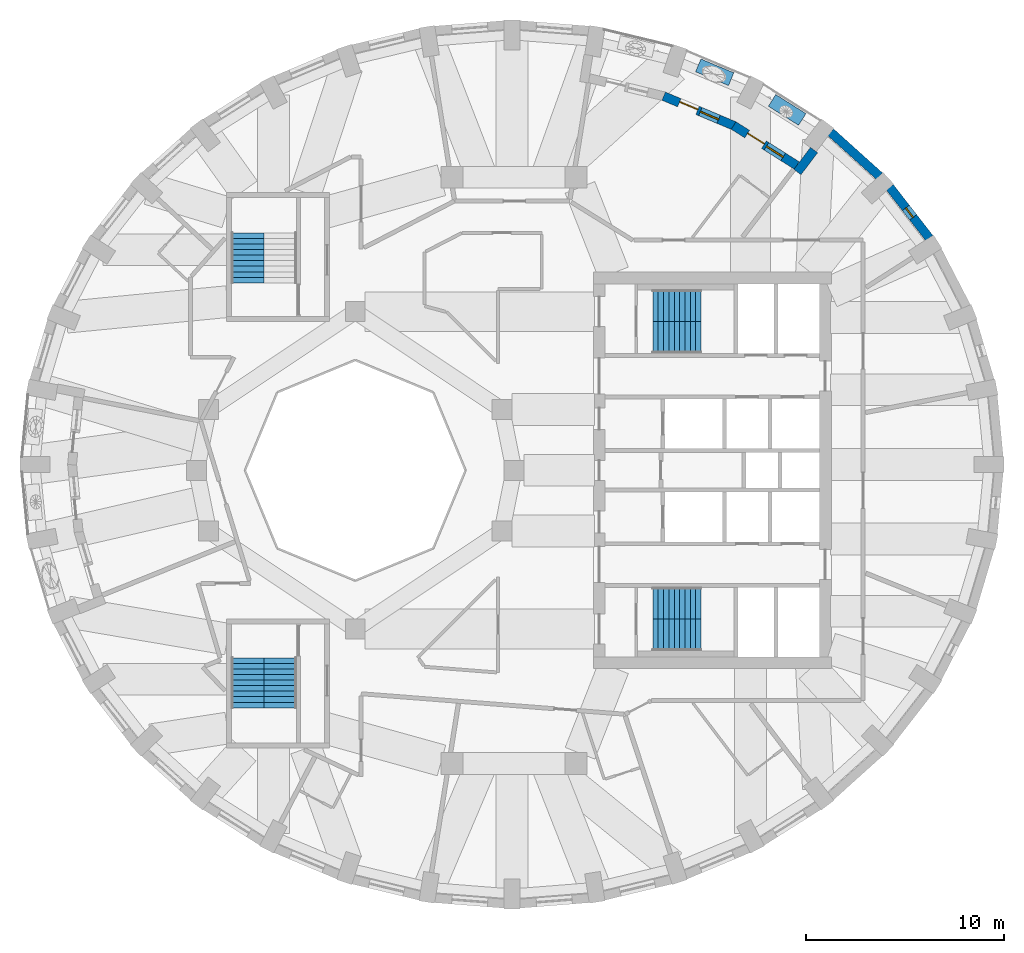
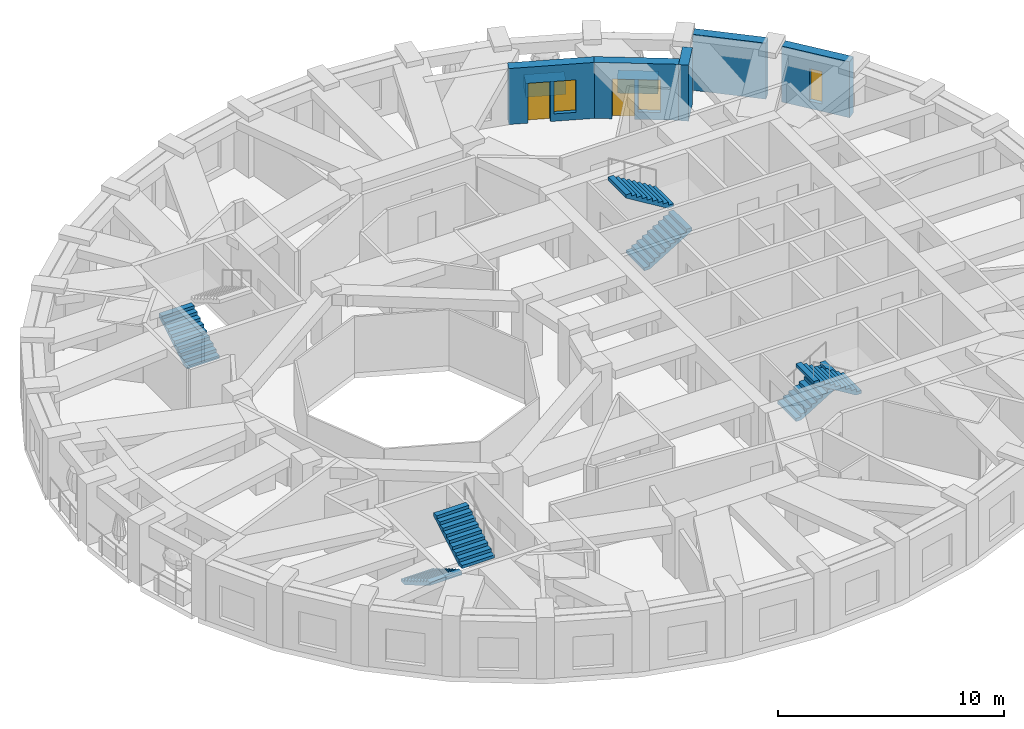
# One storey, part 8 of 12: 7 stair flights, 7 walls, 3 windows, 2 doors, 5 openings, 4 elements without a shape of their own.
"""IFC4 building model written with IfcOpenShell, lengths in metres."""

from ifc_helpers import new_model, si_unit, direction, frame, frame_2d, origin, place, context, subcontext, project, spatial, polyline, rectangle, outline, extrude, material, layer, layer_set, constituent, constituent_set, type_object, element, fill, aggregate, save


model = new_model("IFC4")

# Units and contexts
model_context = context("Model", 3, precision=1e-05, world=origin(), true_north=direction((0.0, 1.0)))
body_context = subcontext(model_context, "Body", "Model", "MODEL_VIEW")
ifc_project = project(units=[si_unit("LENGTHUNIT", "METRE"), si_unit("AREAUNIT", "SQUARE_METRE"), si_unit("VOLUMEUNIT", "CUBIC_METRE"), si_unit("PLANEANGLEUNIT", "RADIAN"), si_unit("MASSUNIT", "GRAM", prefix="KILO")], contexts=[model_context])

# Site, building, storey
site_placement = place(None, origin())
site = spatial("IfcSite", under=ifc_project, at=site_placement, CompositionType="ELEMENT")
building_placement = place(site_placement, origin())
building = spatial("IfcBuilding", under=site, at=building_placement, Name="Taillehof Tower", CompositionType="ELEMENT")
storey_placement = place(building_placement, frame((0.0, 0.0, 236.60009765625)))
storey = spatial("IfcBuildingStorey", under=building, at=storey_placement, Name="L67", CompositionType="ELEMENT", Elevation=236.60009765625)

# Wall, opening, window
ifc_material_1 = material(Name="Brick masonry", Category="masonry")
ifc_layer = layer(ifc_material_1, 0.449951171875)
ifc_layer_set = layer_set([ifc_layer], Name="Brick infill wall 450")
wall_type_1 = type_object("IfcWallType", Name="Brick infill wall 450", PredefinedType="SOLIDWALL", material=ifc_layer_set)
wall_1_placement = place(storey_placement, frame((20.93505859375, 11.70849609375, 0.0), z_axis=(0.0, 0.0, 1.0), x_axis=(-0.613862536705, 0.789412937587, 0.0)))
wall_1 = element("IfcWall", 1, at=wall_1_placement, inside=storey, type_object=wall_type_1, Name="Brick wall L67 bay 4", PredefinedType="SOLIDWALL", context=body_context, shape_type="SweptSolid", body=[
    extrude(rectangle(XDim=3.247314453125, YDim=0.449951171875, at=frame_2d((1.62353515625, 0.0))), origin(), (0.0, 0.0, 1.0), 3.02001953125),
])
opening_1_placement = place(wall_1_placement, frame((1.32373046875, 0.0, 0.39990234375)))
opening_1 = element("IfcOpeningElement", 2, at=opening_1_placement, cuts=wall_1, Name="Opening W6", PredefinedType="OPENING", context=body_context, shape_type="SweptSolid", body=[
    extrude(rectangle(XDim=0.60009765625, YDim=1.75, at=frame_2d((0.300048828125, 0.875))), frame((0.0, 0.23486328125, 0.0), z_axis=(0.0, -1.0, 0.0), x_axis=(1.0, 0.0, 0.0)), (0.0, 0.0, 1.0), 0.469970703125),
])
ifc_material_2 = material(Name="Aluminium window frame with clear double glazing", Category="aluminium")
window_type_1 = type_object("IfcWindowType", Name="Slot window 600x1750", PartitioningType="SINGLE_PANEL", PredefinedType="WINDOW", material=ifc_material_2)
window_1_placement = place(opening_1_placement, origin())
window_1 = element("IfcWindow", 3, at=window_1_placement, inside=storey, type_object=window_type_1, Name="W6", OverallHeight=1.75, OverallWidth=0.60009765625, PartitioningType="SINGLE_PANEL", PredefinedType="WINDOW", context=body_context, shape_type="SweptSolid", body=[
    extrude(rectangle(XDim=0.60009765625, YDim=1.75, at=frame_2d((0.300048828125, 0.875))), frame((0.0, 0.034912109375, 0.0), z_axis=(0.0, -1.0, 0.0), x_axis=(1.0, 0.0, 0.0)), (0.0, 0.0, 1.0), 0.06005859375),
])
fill(opening_1, window_1)

# Walls
wall_2_placement = place(storey_placement, frame((18.423828125, 14.828369140625, 0.0), z_axis=(0.0, 0.0, 1.0), x_axis=(-0.743166014219, 0.669107073128, 0.0)))
element("IfcWall", 4, at=wall_2_placement, inside=storey, type_object=wall_type_1, Name="Brick wall L67 bay 5", PredefinedType="SOLIDWALL", context=body_context, shape_type="SweptSolid", body=[
    extrude(rectangle(XDim=3.31640625, YDim=0.449951171875, at=frame_2d((1.658203125, 0.0))), origin(), (0.0, 0.0, 1.0), 3.02001953125),
])
wall_3_placement = place(storey_placement, frame((15.126953125, 16.144775390625, 0.0), z_axis=(0.0, 0.0, 1.0), x_axis=(-0.603952302908, -0.797020461351, 0.0)))
element("IfcWall", 5, at=wall_3_placement, inside=storey, type_object=wall_type_1, Name="Brick reveal L67 pocket 1", PredefinedType="SOLIDWALL", context=body_context, shape_type="SweptSolid", body=[
    extrude(rectangle(XDim=1.390869140625, YDim=0.449951171875, at=frame_2d((0.6953125, 0.0))), origin(), (0.0, 0.0, 1.0), 3.02001953125),
])

# Wall, openings, door, window
wall_4_placement = place(storey_placement, frame((14.255126953125, 15.36669921875, 0.0), z_axis=(0.0, 0.0, 1.0), x_axis=(-0.845183955488, 0.534475519912, 0.0)))
wall_4 = element("IfcWall", 6, at=wall_4_placement, inside=storey, type_object=wall_type_1, Name="Brick wall L67 pocket bay 6", PredefinedType="SOLIDWALL", context=body_context, shape_type="SweptSolid", body=[
    extrude(rectangle(XDim=3.7685546875, YDim=0.449951171875, at=frame_2d((1.88427734375, 0.0))), origin(), (0.0, 0.0, 1.0), 3.02001953125),
])
opening_2_placement = place(wall_4_placement, frame((0.809326171875, 0.0, 0.39990234375)))
opening_2 = element("IfcOpeningElement", 7, at=opening_2_placement, cuts=wall_4, Name="Opening W5", PredefinedType="OPENING", context=body_context, shape_type="SweptSolid", body=[
    extrude(rectangle(XDim=1.0, YDim=1.75, at=frame_2d((0.5, 0.875))), frame((0.0, 0.23486328125, 0.0), z_axis=(0.0, -1.0, 0.0), x_axis=(1.0, 0.0, 0.0)), (0.0, 0.0, 1.0), 0.469970703125),
])
opening_3_placement = place(wall_4_placement, frame((1.959228515625, 0.0, 0.0)))
opening_3 = element("IfcOpeningElement", 8, at=opening_3_placement, cuts=wall_4, Name="Opening D6794", PredefinedType="OPENING", context=body_context, shape_type="SweptSolid", body=[
    extrude(rectangle(XDim=1.0, YDim=2.14990234375, at=frame_2d((0.5, 1.074951171875))), frame((0.0, 0.23486328125, 0.0), z_axis=(0.0, -1.0, 0.0), x_axis=(1.0, 0.0, 0.0)), (0.0, 0.0, 1.0), 0.469970703125),
])
ifc_material_3 = material(Name="Aluminium door frame with clear double glazing", Category="aluminium")
door_type = type_object("IfcDoorType", Name="Balcony door 1000x2150", OperationType="SINGLE_SWING_RIGHT", PredefinedType="DOOR", material=ifc_material_3)
door_1_placement = place(opening_3_placement, frame((1.0, 0.0, 0.0), z_axis=(0.0, 0.0, 1.0), x_axis=(-1.0, 0.0, 0.0)))
door_1 = element("IfcDoor", 9, at=door_1_placement, inside=storey, type_object=door_type, Name="Balcony door L67 bay 6", OperationType="SINGLE_SWING_RIGHT", OverallHeight=2.14990234375, OverallWidth=1.0, PredefinedType="DOOR", context=body_context, shape_type="SweptSolid", body=[
    extrude(rectangle(XDim=1.0, YDim=2.14990234375, at=frame_2d((0.5, 1.074951171875))), frame((0.0, 0.0751953125, 0.0), z_axis=(0.0, -1.0, 0.0), x_axis=(1.0, 0.0, 0.0)), (0.0, 0.0, 1.0), 0.050048828125),
])
fill(opening_3, door_1)
ifc_material_4 = material(Name="Aluminium window frame with clear double glazing", Category="aluminium")
window_type_2 = type_object("IfcWindowType", Name="Fixed window 1000x1750", PartitioningType="SINGLE_PANEL", PredefinedType="WINDOW", material=ifc_material_4)
window_2_placement = place(opening_2_placement, origin())
window_2 = element("IfcWindow", 10, at=window_2_placement, inside=storey, type_object=window_type_2, Name="W5", OverallHeight=1.75, OverallWidth=1.0, PartitioningType="SINGLE_PANEL", PredefinedType="WINDOW", context=body_context, shape_type="SweptSolid", body=[
    extrude(rectangle(XDim=1.0, YDim=1.75, at=frame_2d((0.5, 0.875))), frame((0.0, 0.034912109375, 0.0), z_axis=(0.0, -1.0, 0.0), x_axis=(1.0, 0.0, 0.0)), (0.0, 0.0, 1.0), 0.06005859375),
])
fill(opening_2, window_2)

wall_5_placement = place(storey_placement, frame((11.10302734375, 17.363525390625, 0.0), z_axis=(0.0, 0.0, 1.0), x_axis=(-0.921612755574, 0.388110717145, 0.0)))
wall_5 = element("IfcWall", 11, at=wall_5_placement, inside=storey, type_object=wall_type_1, Name="Brick wall L67 pocket bay 7", PredefinedType="SOLIDWALL", context=body_context, shape_type="SweptSolid", body=[
    extrude(rectangle(XDim=3.8603515625, YDim=0.449951171875, at=frame_2d((1.93017578125, 0.0))), origin(), (0.0, 0.0, 1.0), 3.02001953125),
])
opening_4_placement = place(wall_5_placement, frame((0.855224609375, 0.0, 0.39990234375)))
opening_4 = element("IfcOpeningElement", 12, at=opening_4_placement, cuts=wall_5, Name="Opening W5", PredefinedType="OPENING", context=body_context, shape_type="SweptSolid", body=[
    extrude(rectangle(XDim=1.0, YDim=1.75, at=frame_2d((0.5, 0.875))), frame((0.0, 0.23486328125, 0.0), z_axis=(0.0, -1.0, 0.0), x_axis=(1.0, 0.0, 0.0)), (0.0, 0.0, 1.0), 0.469970703125),
])
opening_5_placement = place(wall_5_placement, frame((2.005126953125, 0.0, 0.0)))
opening_5 = element("IfcOpeningElement", 13, at=opening_5_placement, cuts=wall_5, Name="Opening D6795", PredefinedType="OPENING", context=body_context, shape_type="SweptSolid", body=[
    extrude(rectangle(XDim=1.0, YDim=2.14990234375, at=frame_2d((0.5, 1.074951171875))), frame((0.0, 0.23486328125, 0.0), z_axis=(0.0, -1.0, 0.0), x_axis=(1.0, 0.0, 0.0)), (0.0, 0.0, 1.0), 0.469970703125),
])
door_2_placement = place(opening_5_placement, frame((1.0, 0.0, 0.0), z_axis=(0.0, 0.0, 1.0), x_axis=(-1.0, 0.0, 0.0)))
door_2 = element("IfcDoor", 14, at=door_2_placement, inside=storey, type_object=door_type, Name="Balcony door L67 bay 7", OperationType="SINGLE_SWING_LEFT", OverallHeight=2.14990234375, OverallWidth=1.0, PredefinedType="DOOR", context=body_context, shape_type="SweptSolid", body=[
    extrude(rectangle(XDim=1.0, YDim=2.14990234375, at=frame_2d((0.5, 1.074951171875))), frame((0.0, 0.0751953125, 0.0), z_axis=(0.0, -1.0, 0.0), x_axis=(1.0, 0.0, 0.0)), (0.0, 0.0, 1.0), 0.050048828125),
])
fill(opening_5, door_2)
window_3_placement = place(opening_4_placement, origin())
window_3 = element("IfcWindow", 15, at=window_3_placement, inside=storey, type_object=window_type_2, Name="W5", OverallHeight=1.75, OverallWidth=1.0, PartitioningType="SINGLE_PANEL", PredefinedType="WINDOW", context=body_context, shape_type="SweptSolid", body=[
    extrude(rectangle(XDim=1.0, YDim=1.75, at=frame_2d((0.5, 0.875))), frame((0.0, 0.034912109375, 0.0), z_axis=(0.0, -1.0, 0.0), x_axis=(1.0, 0.0, 0.0)), (0.0, 0.0, 1.0), 0.06005859375),
])
fill(opening_4, window_3)

# Walls
ifc_material_5 = material(Name="Concrete C30/37 precast", Category="concrete")
ifc_constituent_1 = constituent(ifc_material_5, Name="Structure", Category="concrete")
ifc_material_6 = material(Name="Insulated lining")
ifc_constituent_2 = constituent(ifc_material_6, Name="Lining")
ifc_constituent_set = constituent_set(constituents=[ifc_constituent_1, ifc_constituent_2], Name="Planter trough 700x750")
wall_type_2 = type_object("IfcWallType", Name="Planter trough 700x750", PredefinedType="USERDEFINED", material=ifc_constituent_set)
wall_6_placement = place(storey_placement, frame((14.531005859375, 17.687255859375, 0.0), z_axis=(0.0, 0.0, 1.0), x_axis=(-0.845888351787, 0.533360006291, 0.0)))
element("IfcWall", 16, at=wall_6_placement, inside=storey, type_object=wall_type_2, Name="Planter L67 bay 6", ObjectType="PLANTER", PredefinedType="USERDEFINED", context=body_context, shape_type="SweptSolid", body=[
    extrude(rectangle(XDim=1.7998046875, YDim=0.699951171875, at=frame_2d((0.89990234375, 0.0))), origin(), (0.0, 0.0, 1.0), 0.75),
])
wall_7_placement = place(storey_placement, frame((10.947998046875, 19.717041015625, 0.0), z_axis=(0.0, 0.0, 1.0), x_axis=(-0.922038267928, 0.387098737374, 0.0)))
element("IfcWall", 17, at=wall_7_placement, inside=storey, type_object=wall_type_2, Name="Planter L67 bay 7", ObjectType="PLANTER", PredefinedType="USERDEFINED", context=body_context, shape_type="SweptSolid", body=[
    extrude(rectangle(XDim=1.800048828125, YDim=0.699951171875, at=frame_2d((0.89990234375, 0.0))), origin(), (0.0, 0.0, 1.0), 0.75),
])

# Stair, stair flights
ifc_material_7 = material(Name="Concrete C40/50", Category="concrete")
stair_type = type_object("IfcStairType", Name="Exit stair half-turn", PredefinedType="HALF_TURN_STAIR", material=ifc_material_7)
stair_1_placement = place(storey_placement, origin())
stair_1 = element("IfcStair", 18, at=stair_1_placement, inside=storey, type_object=stair_type, Name="Exit stair S1", PredefinedType="HALF_TURN_STAIR")
ifc_material_8 = material(Name="Concrete C40/50", Category="concrete")
stair_flight_type_1 = type_object("IfcStairFlightType", Name="Stair flight 1600 riser 165.0 going 270", PredefinedType="STRAIGHT", material=ifc_material_8)
stair_flight_1_placement = place(storey_placement, frame((7.0, 6.699951171875, 0.0), z_axis=(0.0, 0.0, 1.0), x_axis=(1.0, 0.0, 0.0)))
stair_flight_1 = element("IfcStairFlight", 19, at=stair_flight_1_placement, type_object=stair_flight_type_1, Name="S1 flight 1", NumberOfRisers=10, NumberOfTreads=9, PredefinedType="STRAIGHT", RiserHeight=0.165, TreadLength=0.27, context=body_context, shape_type="SweptSolid", body=[
    extrude(outline(polyline([(0.0, 0.0), (0.0, 0.00537109375), (0.0, 0.0107421875), (0.0, 0.015869140625), (0.0, 0.021240234375), (0.0, 0.026611328125), (0.0, 0.031982421875), (0.0, 0.037353515625), (0.0, 0.04248046875), (0.0, 0.0478515625), (0.0, 0.05322265625), (0.0, 0.05859375), (0.0, 0.06396484375), (0.0, 0.069091796875), (0.0, 0.074462890625), (0.0, 0.079833984375), (0.0, 0.085205078125), (0.0, 0.090576171875), (0.0, 0.095703125), (0.0, 0.10107421875), (0.0, 0.1064453125), (0.0, 0.11181640625), (0.0, 0.1171875), (0.0, 0.122314453125), (0.0, 0.127685546875), (0.0, 0.133056640625), (0.0, 0.138427734375), (0.0, 0.143798828125), (0.0, 0.14892578125), (0.0, 0.154296875), (0.0, 0.15966796875), (0.0, 0.1650390625), (0.27001953125, 0.1650390625), (0.27001953125, 0.330078125), (0.5400390625, 0.330078125), (0.5400390625, 0.4951171875), (0.81005859375, 0.4951171875), (0.81005859375, 0.659912109375), (1.080078125, 0.659912109375), (1.080078125, 0.824951171875), (1.35009765625, 0.824951171875), (1.35009765625, 0.989990234375), (1.6201171875, 0.989990234375), (1.6201171875, 1.155029296875), (1.889892578125, 1.155029296875), (1.889892578125, 1.320068359375), (2.159912109375, 1.320068359375), (2.159912109375, 1.485107421875), (2.429931640625, 1.485107421875), (2.429931640625, 1.479248046875), (2.429931640625, 1.4736328125), (2.429931640625, 1.468017578125), (2.429931640625, 1.46240234375), (2.429931640625, 1.45654296875), (2.429931640625, 1.450927734375), (2.429931640625, 1.4453125), (2.429931640625, 1.439697265625), (2.429931640625, 1.43408203125), (2.429931640625, 1.42822265625), (2.429931640625, 1.422607421875), (2.429931640625, 1.4169921875), (2.429931640625, 1.411376953125), (2.429931640625, 1.40576171875), (2.429931640625, 1.39990234375), (2.429931640625, 1.394287109375), (2.429931640625, 1.388671875), (2.429931640625, 1.383056640625), (2.429931640625, 1.37744140625), (2.429931640625, 1.37158203125), (2.429931640625, 1.365966796875), (2.429931640625, 1.3603515625), (2.429931640625, 1.354736328125), (2.429931640625, 1.348876953125), (2.429931640625, 1.34326171875), (2.429931640625, 1.337646484375), (2.429931640625, 1.33203125), (2.429931640625, 1.326416015625), (2.429931640625, 1.320556640625), (2.429931640625, 1.31494140625), (2.429931640625, 1.309326171875), (0.287353515625, 0.0), (0.0, 0.0)])), frame((0.0, 0.800048828125, 0.0), z_axis=(0.0, -1.0, 0.0), x_axis=(1.0, 0.0, 0.0)), (0.0, 0.0, 1.0), 1.6),
])
stair_flight_2_placement = place(storey_placement, frame((9.429931640625, 8.300048828125, 1.64990234375), z_axis=(0.0, 0.0, 1.0), x_axis=(-1.0, 0.0, 0.0)))
stair_flight_2 = element("IfcStairFlight", 20, at=stair_flight_2_placement, type_object=stair_flight_type_1, Name="S1 flight 2", NumberOfRisers=10, NumberOfTreads=9, PredefinedType="STRAIGHT", RiserHeight=0.165, TreadLength=0.27, context=body_context, shape_type="SweptSolid", body=[
    extrude(outline(polyline([(0.0, 0.0), (0.0, 0.00537109375), (0.0, 0.0107421875), (0.0, 0.015869140625), (0.0, 0.021240234375), (0.0, 0.026611328125), (0.0, 0.031982421875), (0.0, 0.037353515625), (0.0, 0.04248046875), (0.0, 0.0478515625), (0.0, 0.05322265625), (0.0, 0.05859375), (0.0, 0.06396484375), (0.0, 0.069091796875), (0.0, 0.074462890625), (0.0, 0.079833984375), (0.0, 0.085205078125), (0.0, 0.090576171875), (0.0, 0.095703125), (0.0, 0.10107421875), (0.0, 0.1064453125), (0.0, 0.11181640625), (0.0, 0.1171875), (0.0, 0.122314453125), (0.0, 0.127685546875), (0.0, 0.133056640625), (0.0, 0.138427734375), (0.0, 0.143798828125), (0.0, 0.14892578125), (0.0, 0.154296875), (0.0, 0.15966796875), (0.0, 0.1650390625), (0.27001953125, 0.1650390625), (0.27001953125, 0.330078125), (0.5400390625, 0.330078125), (0.5400390625, 0.4951171875), (0.81005859375, 0.4951171875), (0.81005859375, 0.659912109375), (1.080078125, 0.659912109375), (1.080078125, 0.824951171875), (1.35009765625, 0.824951171875), (1.35009765625, 0.989990234375), (1.6201171875, 0.989990234375), (1.6201171875, 1.155029296875), (1.889892578125, 1.155029296875), (1.889892578125, 1.320068359375), (2.159912109375, 1.320068359375), (2.159912109375, 1.485107421875), (2.429931640625, 1.485107421875), (2.429931640625, 1.479248046875), (2.429931640625, 1.4736328125), (2.429931640625, 1.468017578125), (2.429931640625, 1.46240234375), (2.429931640625, 1.45654296875), (2.429931640625, 1.450927734375), (2.429931640625, 1.4453125), (2.429931640625, 1.439697265625), (2.429931640625, 1.43408203125), (2.429931640625, 1.42822265625), (2.429931640625, 1.422607421875), (2.429931640625, 1.4169921875), (2.429931640625, 1.411376953125), (2.429931640625, 1.40576171875), (2.429931640625, 1.39990234375), (2.429931640625, 1.394287109375), (2.429931640625, 1.388671875), (2.429931640625, 1.383056640625), (2.429931640625, 1.37744140625), (2.429931640625, 1.37158203125), (2.429931640625, 1.365966796875), (2.429931640625, 1.3603515625), (2.429931640625, 1.354736328125), (2.429931640625, 1.348876953125), (2.429931640625, 1.34326171875), (2.429931640625, 1.337646484375), (2.429931640625, 1.33203125), (2.429931640625, 1.326416015625), (2.429931640625, 1.320556640625), (2.429931640625, 1.31494140625), (2.429931640625, 1.309326171875), (0.287353515625, 0.0), (0.0, 0.0)])), frame((0.0, 0.800048828125, 0.0), z_axis=(0.0, -1.0, 0.0), x_axis=(1.0, 0.0, 0.0)), (0.0, 0.0, 1.0), 1.6),
])
aggregate(stair_1, [stair_flight_1, stair_flight_2])

stair_2_placement = place(storey_placement, origin())
stair_2 = element("IfcStair", 21, at=stair_2_placement, inside=storey, type_object=stair_type, Name="Exit stair S2", PredefinedType="HALF_TURN_STAIR")
stair_flight_3_placement = place(storey_placement, frame((7.0, -6.699951171875, 0.0), z_axis=(0.0, 0.0, 1.0), x_axis=(1.0, 0.0, 0.0)))
stair_flight_3 = element("IfcStairFlight", 22, at=stair_flight_3_placement, type_object=stair_flight_type_1, Name="S2 flight 1", NumberOfRisers=10, NumberOfTreads=9, PredefinedType="STRAIGHT", RiserHeight=0.165, TreadLength=0.27, context=body_context, shape_type="SweptSolid", body=[
    extrude(outline(polyline([(0.0, 0.0), (0.0, 0.00537109375), (0.0, 0.0107421875), (0.0, 0.015869140625), (0.0, 0.021240234375), (0.0, 0.026611328125), (0.0, 0.031982421875), (0.0, 0.037353515625), (0.0, 0.04248046875), (0.0, 0.0478515625), (0.0, 0.05322265625), (0.0, 0.05859375), (0.0, 0.06396484375), (0.0, 0.069091796875), (0.0, 0.074462890625), (0.0, 0.079833984375), (0.0, 0.085205078125), (0.0, 0.090576171875), (0.0, 0.095703125), (0.0, 0.10107421875), (0.0, 0.1064453125), (0.0, 0.11181640625), (0.0, 0.1171875), (0.0, 0.122314453125), (0.0, 0.127685546875), (0.0, 0.133056640625), (0.0, 0.138427734375), (0.0, 0.143798828125), (0.0, 0.14892578125), (0.0, 0.154296875), (0.0, 0.15966796875), (0.0, 0.1650390625), (0.27001953125, 0.1650390625), (0.27001953125, 0.330078125), (0.5400390625, 0.330078125), (0.5400390625, 0.4951171875), (0.81005859375, 0.4951171875), (0.81005859375, 0.659912109375), (1.080078125, 0.659912109375), (1.080078125, 0.824951171875), (1.35009765625, 0.824951171875), (1.35009765625, 0.989990234375), (1.6201171875, 0.989990234375), (1.6201171875, 1.155029296875), (1.889892578125, 1.155029296875), (1.889892578125, 1.320068359375), (2.159912109375, 1.320068359375), (2.159912109375, 1.485107421875), (2.429931640625, 1.485107421875), (2.429931640625, 1.479248046875), (2.429931640625, 1.4736328125), (2.429931640625, 1.468017578125), (2.429931640625, 1.46240234375), (2.429931640625, 1.45654296875), (2.429931640625, 1.450927734375), (2.429931640625, 1.4453125), (2.429931640625, 1.439697265625), (2.429931640625, 1.43408203125), (2.429931640625, 1.42822265625), (2.429931640625, 1.422607421875), (2.429931640625, 1.4169921875), (2.429931640625, 1.411376953125), (2.429931640625, 1.40576171875), (2.429931640625, 1.39990234375), (2.429931640625, 1.394287109375), (2.429931640625, 1.388671875), (2.429931640625, 1.383056640625), (2.429931640625, 1.37744140625), (2.429931640625, 1.37158203125), (2.429931640625, 1.365966796875), (2.429931640625, 1.3603515625), (2.429931640625, 1.354736328125), (2.429931640625, 1.348876953125), (2.429931640625, 1.34326171875), (2.429931640625, 1.337646484375), (2.429931640625, 1.33203125), (2.429931640625, 1.326416015625), (2.429931640625, 1.320556640625), (2.429931640625, 1.31494140625), (2.429931640625, 1.309326171875), (0.287353515625, 0.0), (0.0, 0.0)])), frame((0.0, 0.800048828125, 0.0), z_axis=(0.0, -1.0, 0.0), x_axis=(1.0, 0.0, 0.0)), (0.0, 0.0, 1.0), 1.6),
])
stair_flight_4_placement = place(storey_placement, frame((9.429931640625, -8.300048828125, 1.64990234375), z_axis=(0.0, 0.0, 1.0), x_axis=(-1.0, 0.0, 0.0)))
stair_flight_4 = element("IfcStairFlight", 23, at=stair_flight_4_placement, type_object=stair_flight_type_1, Name="S2 flight 2", NumberOfRisers=10, NumberOfTreads=9, PredefinedType="STRAIGHT", RiserHeight=0.165, TreadLength=0.27, context=body_context, shape_type="SweptSolid", body=[
    extrude(outline(polyline([(0.0, 0.0), (0.0, 0.00537109375), (0.0, 0.0107421875), (0.0, 0.015869140625), (0.0, 0.021240234375), (0.0, 0.026611328125), (0.0, 0.031982421875), (0.0, 0.037353515625), (0.0, 0.04248046875), (0.0, 0.0478515625), (0.0, 0.05322265625), (0.0, 0.05859375), (0.0, 0.06396484375), (0.0, 0.069091796875), (0.0, 0.074462890625), (0.0, 0.079833984375), (0.0, 0.085205078125), (0.0, 0.090576171875), (0.0, 0.095703125), (0.0, 0.10107421875), (0.0, 0.1064453125), (0.0, 0.11181640625), (0.0, 0.1171875), (0.0, 0.122314453125), (0.0, 0.127685546875), (0.0, 0.133056640625), (0.0, 0.138427734375), (0.0, 0.143798828125), (0.0, 0.14892578125), (0.0, 0.154296875), (0.0, 0.15966796875), (0.0, 0.1650390625), (0.27001953125, 0.1650390625), (0.27001953125, 0.330078125), (0.5400390625, 0.330078125), (0.5400390625, 0.4951171875), (0.81005859375, 0.4951171875), (0.81005859375, 0.659912109375), (1.080078125, 0.659912109375), (1.080078125, 0.824951171875), (1.35009765625, 0.824951171875), (1.35009765625, 0.989990234375), (1.6201171875, 0.989990234375), (1.6201171875, 1.155029296875), (1.889892578125, 1.155029296875), (1.889892578125, 1.320068359375), (2.159912109375, 1.320068359375), (2.159912109375, 1.485107421875), (2.429931640625, 1.485107421875), (2.429931640625, 1.479248046875), (2.429931640625, 1.4736328125), (2.429931640625, 1.468017578125), (2.429931640625, 1.46240234375), (2.429931640625, 1.45654296875), (2.429931640625, 1.450927734375), (2.429931640625, 1.4453125), (2.429931640625, 1.439697265625), (2.429931640625, 1.43408203125), (2.429931640625, 1.42822265625), (2.429931640625, 1.422607421875), (2.429931640625, 1.4169921875), (2.429931640625, 1.411376953125), (2.429931640625, 1.40576171875), (2.429931640625, 1.39990234375), (2.429931640625, 1.394287109375), (2.429931640625, 1.388671875), (2.429931640625, 1.383056640625), (2.429931640625, 1.37744140625), (2.429931640625, 1.37158203125), (2.429931640625, 1.365966796875), (2.429931640625, 1.3603515625), (2.429931640625, 1.354736328125), (2.429931640625, 1.348876953125), (2.429931640625, 1.34326171875), (2.429931640625, 1.337646484375), (2.429931640625, 1.33203125), (2.429931640625, 1.326416015625), (2.429931640625, 1.320556640625), (2.429931640625, 1.31494140625), (2.429931640625, 1.309326171875), (0.287353515625, 0.0), (0.0, 0.0)])), frame((0.0, 0.800048828125, 0.0), z_axis=(0.0, -1.0, 0.0), x_axis=(1.0, 0.0, 0.0)), (0.0, 0.0, 1.0), 1.6),
])
aggregate(stair_2, [stair_flight_3, stair_flight_4])

# Stair, stair flight
stair_3_placement = place(storey_placement, origin())
stair_3 = element("IfcStair", 24, at=stair_3_placement, inside=storey, type_object=stair_type, Name="Exit stair S3", PredefinedType="HALF_TURN_STAIR")
ifc_material_9 = material(Name="Concrete C40/50", Category="concrete")
stair_flight_type_2 = type_object("IfcStairFlightType", Name="Stair flight 1650 riser 165.0 going 280", PredefinedType="STRAIGHT", material=ifc_material_9)
stair_flight_5_placement = place(storey_placement, frame((-13.425048828125, 9.449951171875, 0.0), z_axis=(0.0, 0.0, 1.0), x_axis=(0.0, 1.0, 0.0)))
stair_flight_5 = element("IfcStairFlight", 25, at=stair_flight_5_placement, type_object=stair_flight_type_2, Name="S3 flight 1", NumberOfRisers=10, NumberOfTreads=9, PredefinedType="STRAIGHT", RiserHeight=0.165, TreadLength=0.28, context=body_context, shape_type="SweptSolid", body=[
    extrude(outline(polyline([(0.0, 0.0), (0.0, 0.00537109375), (0.0, 0.0107421875), (0.0, 0.015869140625), (0.0, 0.021240234375), (0.0, 0.026611328125), (0.0, 0.031982421875), (0.0, 0.037353515625), (0.0, 0.04248046875), (0.0, 0.0478515625), (0.0, 0.05322265625), (0.0, 0.05859375), (0.0, 0.06396484375), (0.0, 0.069091796875), (0.0, 0.074462890625), (0.0, 0.079833984375), (0.0, 0.085205078125), (0.0, 0.090576171875), (0.0, 0.095703125), (0.0, 0.10107421875), (0.0, 0.1064453125), (0.0, 0.11181640625), (0.0, 0.1171875), (0.0, 0.122314453125), (0.0, 0.127685546875), (0.0, 0.133056640625), (0.0, 0.138427734375), (0.0, 0.143798828125), (0.0, 0.14892578125), (0.0, 0.154296875), (0.0, 0.15966796875), (0.0, 0.1650390625), (0.280029296875, 0.1650390625), (0.280029296875, 0.330078125), (0.56005859375, 0.330078125), (0.56005859375, 0.4951171875), (0.840087890625, 0.4951171875), (0.840087890625, 0.659912109375), (1.1201171875, 0.659912109375), (1.1201171875, 0.824951171875), (1.39990234375, 0.824951171875), (1.39990234375, 0.989990234375), (1.679931640625, 0.989990234375), (1.679931640625, 1.155029296875), (1.9599609375, 1.155029296875), (1.9599609375, 1.320068359375), (2.239990234375, 1.320068359375), (2.239990234375, 1.485107421875), (2.52001953125, 1.485107421875), (2.52001953125, 1.4794921875), (2.52001953125, 1.473876953125), (2.52001953125, 1.46826171875), (2.52001953125, 1.462646484375), (2.52001953125, 1.45703125), (2.52001953125, 1.451416015625), (2.52001953125, 1.44580078125), (2.52001953125, 1.440185546875), (2.52001953125, 1.4345703125), (2.52001953125, 1.428955078125), (2.52001953125, 1.42333984375), (2.52001953125, 1.417724609375), (2.52001953125, 1.412109375), (2.52001953125, 1.406494140625), (2.52001953125, 1.40087890625), (2.52001953125, 1.395263671875), (2.52001953125, 1.3896484375), (2.52001953125, 1.384033203125), (2.52001953125, 1.37841796875), (2.52001953125, 1.372802734375), (2.52001953125, 1.3671875), (2.52001953125, 1.361572265625), (2.52001953125, 1.35595703125), (2.52001953125, 1.350341796875), (2.52001953125, 1.3447265625), (2.52001953125, 1.339111328125), (2.52001953125, 1.33349609375), (2.52001953125, 1.327880859375), (2.52001953125, 1.322265625), (2.52001953125, 1.316650390625), (2.52001953125, 1.31103515625), (0.295166015625, 0.0), (0.0, 0.0)])), frame((0.0, 0.824951171875, 0.0), z_axis=(0.0, -1.0, 0.0), x_axis=(1.0, 0.0, 0.0)), (0.0, 0.0, 1.0), 1.65),
])
aggregate(stair_3, [stair_flight_5])

# Stair, stair flights
stair_4_placement = place(storey_placement, origin())
stair_4 = element("IfcStair", 26, at=stair_4_placement, inside=storey, type_object=stair_type, Name="Exit stair S4", PredefinedType="HALF_TURN_STAIR")
stair_flight_6_placement = place(storey_placement, frame((-13.425048828125, -9.449951171875, 0.0), z_axis=(0.0, 0.0, 1.0), x_axis=(0.0, -1.0, 0.0)))
stair_flight_6 = element("IfcStairFlight", 27, at=stair_flight_6_placement, type_object=stair_flight_type_2, Name="S4 flight 1", NumberOfRisers=10, NumberOfTreads=9, PredefinedType="STRAIGHT", RiserHeight=0.165, TreadLength=0.28, context=body_context, shape_type="SweptSolid", body=[
    extrude(outline(polyline([(0.0, 0.0), (0.0, 0.00537109375), (0.0, 0.0107421875), (0.0, 0.015869140625), (0.0, 0.021240234375), (0.0, 0.026611328125), (0.0, 0.031982421875), (0.0, 0.037353515625), (0.0, 0.04248046875), (0.0, 0.0478515625), (0.0, 0.05322265625), (0.0, 0.05859375), (0.0, 0.06396484375), (0.0, 0.069091796875), (0.0, 0.074462890625), (0.0, 0.079833984375), (0.0, 0.085205078125), (0.0, 0.090576171875), (0.0, 0.095703125), (0.0, 0.10107421875), (0.0, 0.1064453125), (0.0, 0.11181640625), (0.0, 0.1171875), (0.0, 0.122314453125), (0.0, 0.127685546875), (0.0, 0.133056640625), (0.0, 0.138427734375), (0.0, 0.143798828125), (0.0, 0.14892578125), (0.0, 0.154296875), (0.0, 0.15966796875), (0.0, 0.1650390625), (0.280029296875, 0.1650390625), (0.280029296875, 0.330078125), (0.56005859375, 0.330078125), (0.56005859375, 0.4951171875), (0.840087890625, 0.4951171875), (0.840087890625, 0.659912109375), (1.1201171875, 0.659912109375), (1.1201171875, 0.824951171875), (1.39990234375, 0.824951171875), (1.39990234375, 0.989990234375), (1.679931640625, 0.989990234375), (1.679931640625, 1.155029296875), (1.9599609375, 1.155029296875), (1.9599609375, 1.320068359375), (2.239990234375, 1.320068359375), (2.239990234375, 1.485107421875), (2.52001953125, 1.485107421875), (2.52001953125, 1.4794921875), (2.52001953125, 1.473876953125), (2.52001953125, 1.46826171875), (2.52001953125, 1.462646484375), (2.52001953125, 1.45703125), (2.52001953125, 1.451416015625), (2.52001953125, 1.44580078125), (2.52001953125, 1.440185546875), (2.52001953125, 1.4345703125), (2.52001953125, 1.428955078125), (2.52001953125, 1.42333984375), (2.52001953125, 1.417724609375), (2.52001953125, 1.412109375), (2.52001953125, 1.406494140625), (2.52001953125, 1.40087890625), (2.52001953125, 1.395263671875), (2.52001953125, 1.3896484375), (2.52001953125, 1.384033203125), (2.52001953125, 1.37841796875), (2.52001953125, 1.372802734375), (2.52001953125, 1.3671875), (2.52001953125, 1.361572265625), (2.52001953125, 1.35595703125), (2.52001953125, 1.350341796875), (2.52001953125, 1.3447265625), (2.52001953125, 1.339111328125), (2.52001953125, 1.33349609375), (2.52001953125, 1.327880859375), (2.52001953125, 1.322265625), (2.52001953125, 1.316650390625), (2.52001953125, 1.31103515625), (0.295166015625, 0.0), (0.0, 0.0)])), frame((0.0, 0.824951171875, 0.0), z_axis=(0.0, -1.0, 0.0), x_axis=(1.0, 0.0, 0.0)), (0.0, 0.0, 1.0), 1.65),
])
stair_flight_7_placement = place(storey_placement, frame((-11.77490234375, -11.969970703125, 1.64990234375), z_axis=(0.0, 0.0, 1.0), x_axis=(0.0, 1.0, 0.0)))
stair_flight_7 = element("IfcStairFlight", 28, at=stair_flight_7_placement, type_object=stair_flight_type_2, Name="S4 flight 2", NumberOfRisers=10, NumberOfTreads=9, PredefinedType="STRAIGHT", RiserHeight=0.165, TreadLength=0.28, context=body_context, shape_type="SweptSolid", body=[
    extrude(outline(polyline([(0.0, 0.0), (0.0, 0.00537109375), (0.0, 0.0107421875), (0.0, 0.015869140625), (0.0, 0.021240234375), (0.0, 0.026611328125), (0.0, 0.031982421875), (0.0, 0.037353515625), (0.0, 0.04248046875), (0.0, 0.0478515625), (0.0, 0.05322265625), (0.0, 0.05859375), (0.0, 0.06396484375), (0.0, 0.069091796875), (0.0, 0.074462890625), (0.0, 0.079833984375), (0.0, 0.085205078125), (0.0, 0.090576171875), (0.0, 0.095703125), (0.0, 0.10107421875), (0.0, 0.1064453125), (0.0, 0.11181640625), (0.0, 0.1171875), (0.0, 0.122314453125), (0.0, 0.127685546875), (0.0, 0.133056640625), (0.0, 0.138427734375), (0.0, 0.143798828125), (0.0, 0.14892578125), (0.0, 0.154296875), (0.0, 0.15966796875), (0.0, 0.1650390625), (0.280029296875, 0.1650390625), (0.280029296875, 0.330078125), (0.56005859375, 0.330078125), (0.56005859375, 0.4951171875), (0.840087890625, 0.4951171875), (0.840087890625, 0.659912109375), (1.1201171875, 0.659912109375), (1.1201171875, 0.824951171875), (1.39990234375, 0.824951171875), (1.39990234375, 0.989990234375), (1.679931640625, 0.989990234375), (1.679931640625, 1.155029296875), (1.9599609375, 1.155029296875), (1.9599609375, 1.320068359375), (2.239990234375, 1.320068359375), (2.239990234375, 1.485107421875), (2.52001953125, 1.485107421875), (2.52001953125, 1.4794921875), (2.52001953125, 1.473876953125), (2.52001953125, 1.46826171875), (2.52001953125, 1.462646484375), (2.52001953125, 1.45703125), (2.52001953125, 1.451416015625), (2.52001953125, 1.44580078125), (2.52001953125, 1.440185546875), (2.52001953125, 1.4345703125), (2.52001953125, 1.428955078125), (2.52001953125, 1.42333984375), (2.52001953125, 1.417724609375), (2.52001953125, 1.412109375), (2.52001953125, 1.406494140625), (2.52001953125, 1.40087890625), (2.52001953125, 1.395263671875), (2.52001953125, 1.3896484375), (2.52001953125, 1.384033203125), (2.52001953125, 1.37841796875), (2.52001953125, 1.372802734375), (2.52001953125, 1.3671875), (2.52001953125, 1.361572265625), (2.52001953125, 1.35595703125), (2.52001953125, 1.350341796875), (2.52001953125, 1.3447265625), (2.52001953125, 1.339111328125), (2.52001953125, 1.33349609375), (2.52001953125, 1.327880859375), (2.52001953125, 1.322265625), (2.52001953125, 1.316650390625), (2.52001953125, 1.31103515625), (0.295166015625, 0.0), (0.0, 0.0)])), frame((0.0, 0.824951171875, 0.0), z_axis=(0.0, -1.0, 0.0), x_axis=(1.0, 0.0, 0.0)), (0.0, 0.0, 1.0), 1.65),
])
aggregate(stair_4, [stair_flight_6, stair_flight_7])

save(model, "model.ifc")
